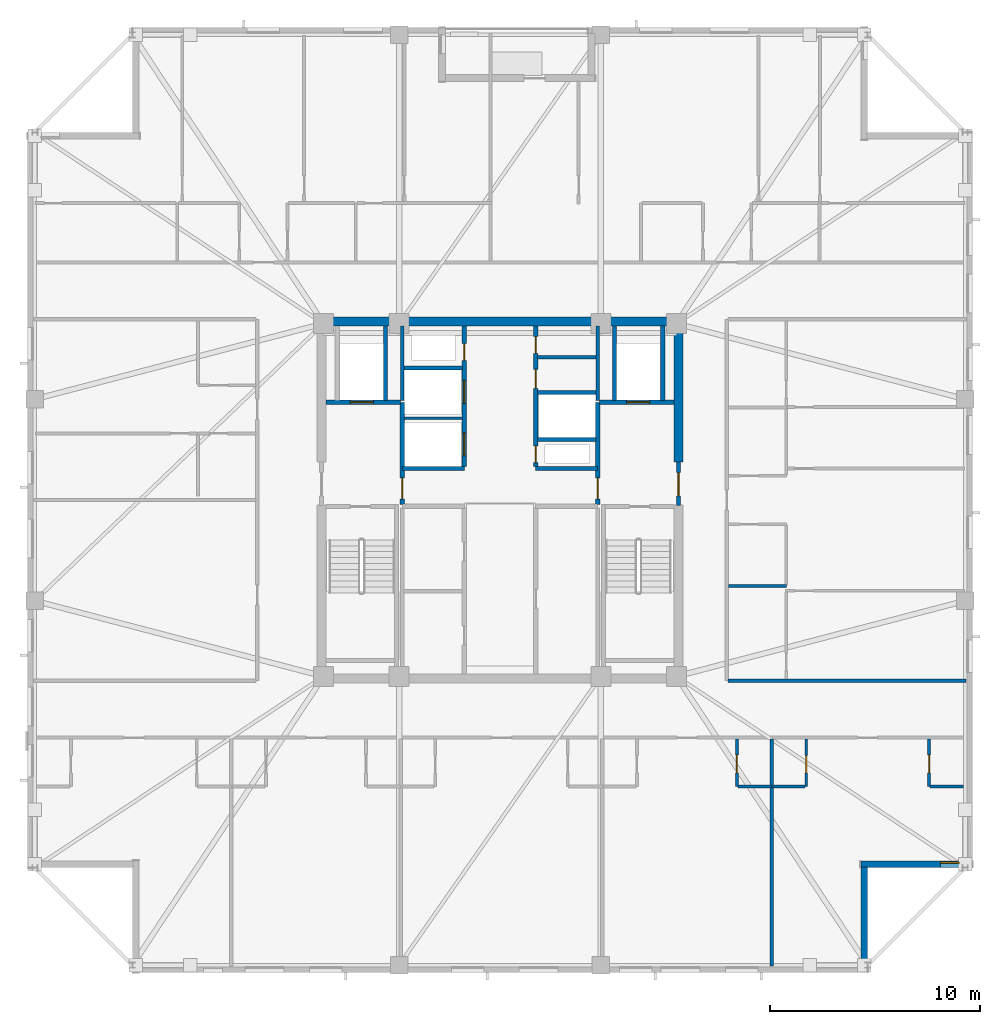
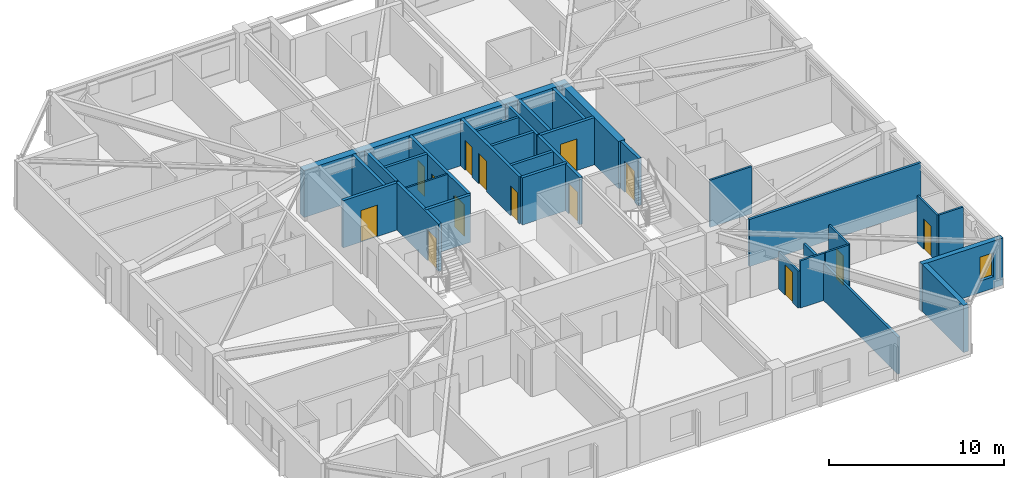
# One storey, part 9 of 17: 32 walls, 14 doors, 1 window, 15 openings.
"""IFC4 building model written with IfcOpenShell, lengths in metres."""

from ifc_helpers import new_model, si_unit, direction, frame, frame_2d, origin, place, context, subcontext, project, spatial, rectangle, extrude, material, layer, layer_set, type_object, element, fill, save


model = new_model("IFC4")

# Units and contexts
model_context = context("Model", 3, precision=1e-05, world=origin(), true_north=direction((0.0, 1.0)))
body_context = subcontext(model_context, "Body", "Model", "MODEL_VIEW")
ifc_project = project(units=[si_unit("LENGTHUNIT", "METRE"), si_unit("AREAUNIT", "SQUARE_METRE"), si_unit("VOLUMEUNIT", "CUBIC_METRE"), si_unit("PLANEANGLEUNIT", "RADIAN"), si_unit("MASSUNIT", "GRAM", prefix="KILO")], contexts=[model_context])

# Site, building, storey
site_placement = place(None, origin())
site = spatial("IfcSite", under=ifc_project, at=site_placement, CompositionType="ELEMENT")
building_placement = place(site_placement, origin())
building = spatial("IfcBuilding", under=site, at=building_placement, Name="Cairnveth Concourse Tower", CompositionType="ELEMENT")
storey_placement = place(building_placement, frame((0.0, 0.0, 213.0)))
storey = spatial("IfcBuildingStorey", under=building, at=storey_placement, Name="L58", CompositionType="ELEMENT", Elevation=213.0)

# Walls
ifc_material_1 = material(Name="Gypsum Plasterboard Partition", Category="gypsum")
ifc_layer_1 = layer(ifc_material_1, 0.159912109375)
ifc_layer_set_1 = layer_set([ifc_layer_1], Name="Gypsum Plasterboard Partition")
wall_type_1 = type_object("IfcWallType", Name="ACOUSTIC PARTY WALL 180", PredefinedType="PARTITIONING", material=ifc_layer_set_1)
wall_1_placement = place(storey_placement, frame((53.784912109375, 45.800048828125, 0.0), z_axis=(0.0, 0.0, 1.0), x_axis=(1.0, 0.0, 0.0)))
element("IfcWall", 1, at=wall_1_placement, inside=storey, type_object=wall_type_1, Name="Interior Wall IW-L58-034", PredefinedType="PARTITIONING", context=body_context, shape_type="SweptSolid", body=[
    extrude(rectangle(XDim=2.7900390625, YDim=0.159912109375, at=frame_2d((1.39501953125, 0.0))), origin(), (0.0, 0.0, 1.0), 3.2900390625),
])
wall_2_placement = place(storey_placement, frame((62.864990234375, 30.39990234375, 0.0), z_axis=(0.0, 0.0, 1.0), x_axis=(1.0, 0.0, 0.0)))
element("IfcWall", 2, at=wall_2_placement, inside=storey, type_object=wall_type_1, Name="Interior Wall IW-L58-041", PredefinedType="PARTITIONING", context=body_context, shape_type="SweptSolid", body=[
    extrude(rectangle(XDim=11.330078125, YDim=0.159912109375, at=frame_2d((5.6650390625, 0.0))), origin(), (0.0, 0.0, 1.0), 3.2900390625),
])
wall_3_placement = place(storey_placement, frame((64.93310546875, 16.804931640625, 0.0), z_axis=(0.0, 0.0, 1.0), x_axis=(0.0, 1.0, 0.0)))
element("IfcWall", 3, at=wall_3_placement, inside=storey, type_object=wall_type_1, Name="Interior Wall IW-L58-062", PredefinedType="PARTITIONING", context=body_context, shape_type="SweptSolid", body=[
    extrude(rectangle(XDim=10.80517578125, YDim=0.159912109375, at=frame_2d((5.402587890625, 0.0))), origin(), (0.0, 0.0, 1.0), 2.572998046875),
])
ifc_material_2 = material(Name="Concrete N65 (65 MPa)", Category="concrete")
ifc_layer_2 = layer(ifc_material_2, 0.449951171875)
ifc_layer_set_2 = layer_set([ifc_layer_2], Name="Concrete N65 (65 MPa)")
wall_type_2 = type_object("IfcWallType", Name="CORE SHEAR WALL 450", PredefinedType="SHEAR", material=ifc_layer_set_2)
wall_4_placement = place(storey_placement, frame((43.27490234375, 47.5, 0.0), z_axis=(0.0, 0.0, 1.0), x_axis=(1.0, 0.0, 0.0)))
element("IfcWall", 4, at=wall_4_placement, inside=storey, type_object=wall_type_2, Name="Core North Shear Wall L58", PredefinedType="SHEAR", context=body_context, shape_type="SweptSolid", body=[
    extrude(rectangle(XDim=17.4501953125, YDim=0.449951171875, at=frame_2d((8.72509765625, 0.0))), origin(), (0.0, 0.0, 1.0), 3.2900390625),
])
wall_5_placement = place(storey_placement, frame((60.5, 40.800048828125, 0.0), z_axis=(0.0, 0.0, 1.0), x_axis=(0.0, 1.0, 0.0)))
element("IfcWall", 5, at=wall_5_placement, inside=storey, type_object=wall_type_2, Name="Core East Shear Wall N L58", PredefinedType="SHEAR", context=body_context, shape_type="SweptSolid", body=[
    extrude(rectangle(XDim=6.48486328125, YDim=0.449951171875, at=frame_2d((3.242431640625, 0.0))), origin(), (0.0, 0.0, 1.0), 3.2900390625),
])
ifc_material_3 = material(Name="Concrete N50 (50 MPa)", Category="concrete")
ifc_layer_3 = layer(ifc_material_3, 0.179931640625)
ifc_layer_set_3 = layer_set([ifc_layer_3], Name="Concrete N50 (50 MPa)")
wall_type_3 = type_object("IfcWallType", Name="FIRE SHAFT WALL 180", PredefinedType="SOLIDWALL", material=ifc_layer_set_3)
wall_6_placement = place(storey_placement, frame((47.35009765625, 43.735107421875, 0.0), z_axis=(0.0, 0.0, 1.0), x_axis=(0.0, 1.0, 0.0)))
element("IfcWall", 6, at=wall_6_placement, inside=storey, type_object=wall_type_3, Name="Interior Wall IW-L58-028", PredefinedType="SOLIDWALL", context=body_context, shape_type="SweptSolid", body=[
    extrude(rectangle(XDim=3.554931640625, YDim=0.179931640625, at=frame_2d((1.77734375, 0.0))), origin(), (0.0, 0.0, 1.0), 3.2900390625),
])
wall_7_placement = place(storey_placement, frame((47.425048828125, 45.280029296875, 0.0), z_axis=(0.0, 0.0, 1.0), x_axis=(1.0, 0.0, 0.0)))
element("IfcWall", 7, at=wall_7_placement, inside=storey, type_object=wall_type_3, Name="Interior Wall IW-L58-030", PredefinedType="SOLIDWALL", context=body_context, shape_type="SweptSolid", body=[
    extrude(rectangle(XDim=2.7900390625, YDim=0.179931640625, at=frame_2d((1.39501953125, 0.0))), origin(), (0.0, 0.0, 1.0), 3.2900390625),
])
wall_8_placement = place(storey_placement, frame((56.64990234375, 43.735107421875, 0.0), z_axis=(0.0, 0.0, 1.0), x_axis=(0.0, 1.0, 0.0)))
element("IfcWall", 8, at=wall_8_placement, inside=storey, type_object=wall_type_3, Name="Interior Wall IW-L58-031", PredefinedType="SOLIDWALL", context=body_context, shape_type="SweptSolid", body=[
    extrude(rectangle(XDim=3.554931640625, YDim=0.179931640625, at=frame_2d((1.77734375, 0.0))), origin(), (0.0, 0.0, 1.0), 3.2900390625),
])
wall_9_placement = place(storey_placement, frame((53.784912109375, 41.8798828125, 0.0), z_axis=(0.0, 0.0, 1.0), x_axis=(1.0, 0.0, 0.0)))
element("IfcWall", 9, at=wall_9_placement, inside=storey, type_object=wall_type_3, Name="Interior Wall IW-L58-032", PredefinedType="SOLIDWALL", context=body_context, shape_type="SweptSolid", body=[
    extrude(rectangle(XDim=2.780029296875, YDim=0.179931640625, at=frame_2d((1.39013671875, 0.0))), origin(), (0.0, 0.0, 1.0), 3.2900390625),
])
wall_10_placement = place(storey_placement, frame((53.784912109375, 44.1201171875, 0.0), z_axis=(0.0, 0.0, 1.0), x_axis=(1.0, 0.0, 0.0)))
element("IfcWall", 10, at=wall_10_placement, inside=storey, type_object=wall_type_3, Name="Interior Wall IW-L58-033", PredefinedType="SOLIDWALL", context=body_context, shape_type="SweptSolid", body=[
    extrude(rectangle(XDim=2.7900390625, YDim=0.179931640625, at=frame_2d((1.39501953125, 0.0))), origin(), (0.0, 0.0, 1.0), 3.2900390625),
])
ifc_layer_4 = layer(ifc_material_3, 0.199951171875)
ifc_layer_set_4 = layer_set([ifc_layer_4], Name="Concrete N50 (50 MPa)")
wall_type_4 = type_object("IfcWallType", Name="FIRE SHAFT WALL 200", PredefinedType="SOLIDWALL", material=ifc_layer_set_4)
for number, where, z_axis, x_axis, name in (
    (11, (47.35009765625, 40.5, 0.0), (0.0, 0.0, 1.0), (1.0, 0.0, 0.0), "Interior Wall IW-L58-008"),
    (12, (53.699951171875, 40.5, 0.0), (0.0, 0.0, 1.0), (1.0, 0.0, 0.0), "Interior Wall IW-L58-010"),
):
    element("IfcWall", number, at=place(storey_placement, frame(where, z_axis=z_axis, x_axis=x_axis)), inside=storey, type_object=wall_type_4, Name=name, PredefinedType="SOLIDWALL", context=body_context, shape_type="SweptSolid", body=[
        extrude(rectangle(XDim=2.949951171875, YDim=0.199951171875, at=frame_2d((1.47509765625, 0.0))), origin(), (0.0, 0.0, 1.0), 3.2900390625),
    ])

# Wall, openings, doors
wall_11_placement = place(storey_placement, frame((50.300048828125, 40.5849609375, 0.0), z_axis=(0.0, 0.0, 1.0), x_axis=(0.0, 1.0, 0.0)))
wall_11 = element("IfcWall", 13, at=wall_11_placement, inside=storey, type_object=wall_type_4, Name="Interior Wall IW-L58-013", PredefinedType="SOLIDWALL", context=body_context, shape_type="SweptSolid", body=[
    extrude(rectangle(XDim=6.705078125, YDim=0.199951171875, at=frame_2d((3.3525390625, 0.0))), origin(), (0.0, 0.0, 1.0), 3.2900390625),
])
opening_1_placement = place(wall_11_placement, frame((0.514892578125, 0.0, 0.0)))
opening_1 = element("IfcOpeningElement", 14, at=opening_1_placement, cuts=wall_11, Name="Opening LD-1", PredefinedType="OPENING", context=body_context, shape_type="SweptSolid", body=[
    extrude(rectangle(XDim=1.10009765625, YDim=2.199951171875, at=frame_2d((0.550048828125, 1.10009765625))), frame((0.0, 0.10986328125, 0.0), z_axis=(0.0, -1.0, 0.0), x_axis=(1.0, 0.0, 0.0)), (0.0, 0.0, 1.0), 0.219970703125),
])
opening_2_placement = place(wall_11_placement, frame((3.014892578125, 0.0, 0.0)))
opening_2 = element("IfcOpeningElement", 15, at=opening_2_placement, cuts=wall_11, Name="Opening LD-1", PredefinedType="OPENING", context=body_context, shape_type="SweptSolid", body=[
    extrude(rectangle(XDim=1.10009765625, YDim=2.199951171875, at=frame_2d((0.550048828125, 1.10009765625))), frame((0.0, 0.10986328125, 0.0), z_axis=(0.0, -1.0, 0.0), x_axis=(1.0, 0.0, 0.0)), (0.0, 0.0, 1.0), 0.219970703125),
])
opening_3_placement = place(wall_11_placement, frame((5.06494140625, 0.0, 0.0)))
opening_3 = element("IfcOpeningElement", 16, at=opening_3_placement, cuts=wall_11, Name="Opening ID24", PredefinedType="OPENING", context=body_context, shape_type="SweptSolid", body=[
    extrude(rectangle(XDim=0.800048828125, YDim=2.080078125, at=frame_2d((0.39990234375, 1.0400390625))), frame((0.0, 0.10986328125, 0.0), z_axis=(0.0, -1.0, 0.0), x_axis=(1.0, 0.0, 0.0)), (0.0, 0.0, 1.0), 0.219970703125),
])
ifc_material_4 = material(Name="Architectural Bronze Anodised Aluminium 6063-T6", Category="aluminium")
door_type_1 = type_object("IfcDoorType", Name="LIFT LANDING DOOR 1100X2200", OperationType="SLIDING_TO_LEFT", PredefinedType="DOOR", material=ifc_material_4)
door_1_placement = place(opening_1_placement, origin())
door_1 = element("IfcDoor", 17, at=door_1_placement, inside=storey, type_object=door_type_1, Name="Lift PL7 Landing Door L58", OperationType="SLIDING_TO_LEFT", OverallHeight=2.199951171875, OverallWidth=1.10009765625, PredefinedType="DOOR", context=body_context, shape_type="SweptSolid", body=[
    extrude(rectangle(XDim=1.10009765625, YDim=2.199951171875, at=frame_2d((0.550048828125, 1.10009765625))), frame((0.0, 0.02490234375, 0.0), z_axis=(0.0, -1.0, 0.0), x_axis=(1.0, 0.0, 0.0)), (0.0, 0.0, 1.0), 0.050048828125),
])
fill(opening_1, door_1)
door_2_placement = place(opening_2_placement, origin())
door_2 = element("IfcDoor", 18, at=door_2_placement, inside=storey, type_object=door_type_1, Name="Lift PL8 Landing Door L58", OperationType="SLIDING_TO_LEFT", OverallHeight=2.199951171875, OverallWidth=1.10009765625, PredefinedType="DOOR", context=body_context, shape_type="SweptSolid", body=[
    extrude(rectangle(XDim=1.10009765625, YDim=2.199951171875, at=frame_2d((0.550048828125, 1.10009765625))), frame((0.0, 0.02490234375, 0.0), z_axis=(0.0, -1.0, 0.0), x_axis=(1.0, 0.0, 0.0)), (0.0, 0.0, 1.0), 0.050048828125),
])
fill(opening_2, door_2)
ifc_material_5 = material(Name="Steel Grade 350", Category="steel")
door_type_2 = type_object("IfcDoorType", Name="RISER ACCESS DOOR 800X2100", OperationType="NOTDEFINED", PredefinedType="DOOR", material=ifc_material_5)
door_3_placement = place(opening_3_placement, origin())
door_3 = element("IfcDoor", 19, at=door_3_placement, inside=storey, type_object=door_type_2, Name="NW Electrical Riser Access Door L58", OperationType="SINGLE_SWING_RIGHT", OverallHeight=2.080078125, OverallWidth=0.800048828125, PredefinedType="DOOR", context=body_context, shape_type="SweptSolid", body=[
    extrude(rectangle(XDim=0.800048828125, YDim=2.080078125, at=frame_2d((0.39990234375, 1.0400390625))), frame((0.0, 0.02490234375, 0.0), z_axis=(0.0, -1.0, 0.0), x_axis=(1.0, 0.0, 0.0)), (0.0, 0.0, 1.0), 0.050048828125),
])
fill(opening_3, door_3)

wall_12_placement = place(storey_placement, frame((53.699951171875, 40.5849609375, 0.0), z_axis=(0.0, 0.0, 1.0), x_axis=(0.0, 1.0, 0.0)))
wall_12 = element("IfcWall", 20, at=wall_12_placement, inside=storey, type_object=wall_type_4, Name="Interior Wall IW-L58-014", PredefinedType="SOLIDWALL", context=body_context, shape_type="SweptSolid", body=[
    extrude(rectangle(XDim=6.705078125, YDim=0.199951171875, at=frame_2d((3.3525390625, 0.0))), origin(), (0.0, 0.0, 1.0), 3.2900390625),
])
opening_4_placement = place(wall_12_placement, frame((0.195068359375, 0.0, 0.0)))
opening_4 = element("IfcOpeningElement", 21, at=opening_4_placement, cuts=wall_12, Name="Opening ID24", PredefinedType="OPENING", context=body_context, shape_type="SweptSolid", body=[
    extrude(rectangle(XDim=0.800048828125, YDim=2.080078125, at=frame_2d((0.39990234375, 1.0400390625))), frame((0.0, 0.10986328125, 0.0), z_axis=(0.0, -1.0, 0.0), x_axis=(1.0, 0.0, 0.0)), (0.0, 0.0, 1.0), 0.219970703125),
])
opening_5_placement = place(wall_12_placement, frame((3.735107421875, 0.0, 0.0)))
opening_5 = element("IfcOpeningElement", 22, at=opening_5_placement, cuts=wall_12, Name="Opening ID26", PredefinedType="OPENING", context=body_context, shape_type="SweptSolid", body=[
    extrude(rectangle(XDim=0.89990234375, YDim=2.1201171875, at=frame_2d((0.449951171875, 1.06005859375))), frame((0.0, 0.10986328125, 0.0), z_axis=(0.0, -1.0, 0.0), x_axis=(1.0, 0.0, 0.0)), (0.0, 0.0, 1.0), 0.219970703125),
])
opening_6_placement = place(wall_12_placement, frame((5.39501953125, 0.0, 0.0)))
opening_6 = element("IfcOpeningElement", 23, at=opening_6_placement, cuts=wall_12, Name="Opening ID23", PredefinedType="OPENING", context=body_context, shape_type="SweptSolid", body=[
    extrude(rectangle(XDim=0.800048828125, YDim=2.10009765625, at=frame_2d((0.39990234375, 1.050048828125))), frame((0.0, 0.10986328125, 0.0), z_axis=(0.0, -1.0, 0.0), x_axis=(1.0, 0.0, 0.0)), (0.0, 0.0, 1.0), 0.219970703125),
])
door_type_3 = type_object("IfcDoorType", Name="CORE SERVICE DOOR 800X2100", OperationType="NOTDEFINED", PredefinedType="DOOR", material=ifc_material_5)
door_4_placement = place(opening_6_placement, origin())
door_4 = element("IfcDoor", 24, at=door_4_placement, inside=storey, type_object=door_type_3, Name="Core NE Cleaners Door L58", OperationType="SINGLE_SWING_LEFT", OverallHeight=2.10009765625, OverallWidth=0.800048828125, PredefinedType="DOOR", context=body_context, shape_type="SweptSolid", body=[
    extrude(rectangle(XDim=0.800048828125, YDim=2.10009765625, at=frame_2d((0.39990234375, 1.050048828125))), frame((0.0, 0.02490234375, 0.0), z_axis=(0.0, -1.0, 0.0), x_axis=(1.0, 0.0, 0.0)), (0.0, 0.0, 1.0), 0.050048828125),
])
fill(opening_6, door_4)
door_type_4 = type_object("IfcDoorType", Name="CORE TOILET FIRE DOOR 900X2120", OperationType="NOTDEFINED", PredefinedType="DOOR", material=ifc_material_5)
door_5_placement = place(opening_5_placement, origin())
door_5 = element("IfcDoor", 25, at=door_5_placement, inside=storey, type_object=door_type_4, Name="Core NE Unisex WC Door L58", OperationType="SINGLE_SWING_RIGHT", OverallHeight=2.1201171875, OverallWidth=0.89990234375, PredefinedType="DOOR", context=body_context, shape_type="SweptSolid", body=[
    extrude(rectangle(XDim=0.89990234375, YDim=2.1201171875, at=frame_2d((0.449951171875, 1.06005859375))), frame((0.0, 0.02490234375, 0.0), z_axis=(0.0, -1.0, 0.0), x_axis=(1.0, 0.0, 0.0)), (0.0, 0.0, 1.0), 0.050048828125),
])
fill(opening_5, door_5)
door_6_placement = place(opening_4_placement, origin())
door_6 = element("IfcDoor", 26, at=door_6_placement, inside=storey, type_object=door_type_2, Name="Hydraulic Riser Door L58", OperationType="SINGLE_SWING_LEFT", OverallHeight=2.080078125, OverallWidth=0.800048828125, PredefinedType="DOOR", context=body_context, shape_type="SweptSolid", body=[
    extrude(rectangle(XDim=0.800048828125, YDim=2.080078125, at=frame_2d((0.39990234375, 1.0400390625))), frame((0.0, 0.02490234375, 0.0), z_axis=(0.0, -1.0, 0.0), x_axis=(1.0, 0.0, 0.0)), (0.0, 0.0, 1.0), 0.050048828125),
])
fill(opening_4, door_6)

# Wall, opening, door
wall_13_placement = place(storey_placement, frame((47.35009765625, 38.784912109375, 0.0), z_axis=(0.0, 0.0, 1.0), x_axis=(0.0, 1.0, 0.0)))
wall_13 = element("IfcWall", 27, at=wall_13_placement, inside=storey, type_object=wall_type_4, Name="Interior Wall IW-L58-016", PredefinedType="SOLIDWALL", context=body_context, shape_type="SweptSolid", body=[
    extrude(rectangle(XDim=4.864990234375, YDim=0.199951171875, at=frame_2d((2.4326171875, 0.0))), origin(), (0.0, 0.0, 1.0), 3.2900390625),
])
opening_7_placement = place(wall_13_placement, frame((0.264892578125, 0.0, 0.0)))
opening_7 = element("IfcOpeningElement", 28, at=opening_7_placement, cuts=wall_13, Name="Opening ID07", PredefinedType="OPENING", context=body_context, shape_type="SweptSolid", body=[
    extrude(rectangle(XDim=1.0, YDim=2.14990234375, at=frame_2d((0.5, 1.074951171875))), frame((0.0, 0.10986328125, 0.0), z_axis=(0.0, -1.0, 0.0), x_axis=(1.0, 0.0, 0.0)), (0.0, 0.0, 1.0), 0.219970703125),
])
door_type_5 = type_object("IfcDoorType", Name="FIRE CORRIDOR DOOR 1000X2150", OperationType="NOTDEFINED", PredefinedType="DOOR", material=ifc_material_5)
door_7_placement = place(opening_7_placement, origin())
door_7 = element("IfcDoor", 29, at=door_7_placement, inside=storey, type_object=door_type_5, Name="FF Lobby West to Lift Lobby Door L58", OperationType="SINGLE_SWING_RIGHT", OverallHeight=2.14990234375, OverallWidth=1.0, PredefinedType="DOOR", context=body_context, shape_type="SweptSolid", body=[
    extrude(rectangle(XDim=1.0, YDim=2.14990234375, at=frame_2d((0.5, 1.074951171875))), frame((0.0, 0.02490234375, 0.0), z_axis=(0.0, -1.0, 0.0), x_axis=(1.0, 0.0, 0.0)), (0.0, 0.0, 1.0), 0.050048828125),
])
fill(opening_7, door_7)

wall_14_placement = place(storey_placement, frame((43.7099609375, 43.64990234375, 0.0), z_axis=(0.0, 0.0, 1.0), x_axis=(1.0, 0.0, 0.0)))
wall_14 = element("IfcWall", 30, at=wall_14_placement, inside=storey, type_object=wall_type_4, Name="Interior Wall IW-L58-017", PredefinedType="SOLIDWALL", context=body_context, shape_type="SweptSolid", body=[
    extrude(rectangle(XDim=3.554931640625, YDim=0.199951171875, at=frame_2d((1.77734375, 0.0))), origin(), (0.0, 0.0, 1.0), 3.2900390625),
])
opening_8_placement = place(wall_14_placement, frame((1.159912109375, 0.0, 0.0)))
opening_8 = element("IfcOpeningElement", 31, at=opening_8_placement, cuts=wall_14, Name="Opening LD-1", PredefinedType="OPENING", context=body_context, shape_type="SweptSolid", body=[
    extrude(rectangle(XDim=1.10009765625, YDim=2.199951171875, at=frame_2d((0.550048828125, 1.10009765625))), frame((0.0, 0.10986328125, 0.0), z_axis=(0.0, -1.0, 0.0), x_axis=(1.0, 0.0, 0.0)), (0.0, 0.0, 1.0), 0.219970703125),
])
door_8_placement = place(opening_8_placement, origin())
door_8 = element("IfcDoor", 32, at=door_8_placement, inside=storey, type_object=door_type_1, Name="Lift FFL1 Landing Door L58", OperationType="SLIDING_TO_LEFT", OverallHeight=2.199951171875, OverallWidth=1.10009765625, PredefinedType="DOOR", context=body_context, shape_type="SweptSolid", body=[
    extrude(rectangle(XDim=1.10009765625, YDim=2.199951171875, at=frame_2d((0.550048828125, 1.10009765625))), frame((0.0, 0.02490234375, 0.0), z_axis=(0.0, -1.0, 0.0), x_axis=(1.0, 0.0, 0.0)), (0.0, 0.0, 1.0), 0.050048828125),
])
fill(opening_8, door_8)

# Wall
wall_15_placement = place(storey_placement, frame((46.550048828125, 43.735107421875, 0.0), z_axis=(0.0, 0.0, 1.0), x_axis=(0.0, 1.0, 0.0)))
element("IfcWall", 33, at=wall_15_placement, inside=storey, type_object=wall_type_4, Name="Interior Wall IW-L58-018", PredefinedType="SOLIDWALL", context=body_context, shape_type="SweptSolid", body=[
    extrude(rectangle(XDim=3.554931640625, YDim=0.199951171875, at=frame_2d((1.77734375, 0.0))), origin(), (0.0, 0.0, 1.0), 3.2900390625),
])

# Wall, opening, door
wall_16_placement = place(storey_placement, frame((60.5, 38.75, 0.0), z_axis=(0.0, 0.0, 1.0), x_axis=(0.0, 1.0, 0.0)))
wall_16 = element("IfcWall", 34, at=wall_16_placement, inside=storey, type_object=wall_type_4, Name="Interior Wall IW-L58-020", PredefinedType="SOLIDWALL", context=body_context, shape_type="SweptSolid", body=[
    extrude(rectangle(XDim=2.050048828125, YDim=0.199951171875, at=frame_2d((1.02490234375, 0.0))), origin(), (0.0, 0.0, 1.0), 3.2900390625),
])
opening_9_placement = place(wall_16_placement, frame((0.449951171875, 0.0, 0.0)))
opening_9 = element("IfcOpeningElement", 35, at=opening_9_placement, cuts=wall_16, Name="Opening ID06", PredefinedType="OPENING", context=body_context, shape_type="SweptSolid", body=[
    extrude(rectangle(XDim=1.10009765625, YDim=2.14990234375, at=frame_2d((0.550048828125, 1.074951171875))), frame((0.0, 0.10986328125, 0.0), z_axis=(0.0, -1.0, 0.0), x_axis=(1.0, 0.0, 0.0)), (0.0, 0.0, 1.0), 0.219970703125),
])
door_type_6 = type_object("IfcDoorType", Name="FIRE CORRIDOR DOOR 1100X2150", OperationType="NOTDEFINED", PredefinedType="DOOR", material=ifc_material_5)
door_9_placement = place(opening_9_placement, origin())
door_9 = element("IfcDoor", 36, at=door_9_placement, inside=storey, type_object=door_type_6, Name="East Wing to FF Lobby Door L58", OperationType="SINGLE_SWING_RIGHT", OverallHeight=2.14990234375, OverallWidth=1.10009765625, PredefinedType="DOOR", context=body_context, shape_type="SweptSolid", body=[
    extrude(rectangle(XDim=1.10009765625, YDim=2.14990234375, at=frame_2d((0.550048828125, 1.074951171875))), frame((0.0, 0.02490234375, 0.0), z_axis=(0.0, -1.0, 0.0), x_axis=(1.0, 0.0, 0.0)), (0.0, 0.0, 1.0), 0.050048828125),
])
fill(opening_9, door_9)

wall_17_placement = place(storey_placement, frame((56.64990234375, 38.784912109375, 0.0), z_axis=(0.0, 0.0, 1.0), x_axis=(0.0, 1.0, 0.0)))
wall_17 = element("IfcWall", 37, at=wall_17_placement, inside=storey, type_object=wall_type_4, Name="Interior Wall IW-L58-021", PredefinedType="SOLIDWALL", context=body_context, shape_type="SweptSolid", body=[
    extrude(rectangle(XDim=4.864990234375, YDim=0.199951171875, at=frame_2d((2.4326171875, 0.0))), origin(), (0.0, 0.0, 1.0), 3.2900390625),
])
opening_10_placement = place(wall_17_placement, frame((0.264892578125, 0.0, 0.0)))
opening_10 = element("IfcOpeningElement", 38, at=opening_10_placement, cuts=wall_17, Name="Opening ID07", PredefinedType="OPENING", context=body_context, shape_type="SweptSolid", body=[
    extrude(rectangle(XDim=1.0, YDim=2.14990234375, at=frame_2d((0.5, 1.074951171875))), frame((0.0, 0.10986328125, 0.0), z_axis=(0.0, -1.0, 0.0), x_axis=(1.0, 0.0, 0.0)), (0.0, 0.0, 1.0), 0.219970703125),
])
door_10_placement = place(opening_10_placement, origin())
door_10 = element("IfcDoor", 39, at=door_10_placement, inside=storey, type_object=door_type_5, Name="FF Lobby East to Lift Lobby Door L58", OperationType="SINGLE_SWING_LEFT", OverallHeight=2.14990234375, OverallWidth=1.0, PredefinedType="DOOR", context=body_context, shape_type="SweptSolid", body=[
    extrude(rectangle(XDim=1.0, YDim=2.14990234375, at=frame_2d((0.5, 1.074951171875))), frame((0.0, 0.02490234375, 0.0), z_axis=(0.0, -1.0, 0.0), x_axis=(1.0, 0.0, 0.0)), (0.0, 0.0, 1.0), 0.050048828125),
])
fill(opening_10, door_10)

wall_18_placement = place(storey_placement, frame((56.735107421875, 43.64990234375, 0.0), z_axis=(0.0, 0.0, 1.0), x_axis=(1.0, 0.0, 0.0)))
wall_18 = element("IfcWall", 40, at=wall_18_placement, inside=storey, type_object=wall_type_4, Name="Interior Wall IW-L58-022", PredefinedType="SOLIDWALL", context=body_context, shape_type="SweptSolid", body=[
    extrude(rectangle(XDim=3.554931640625, YDim=0.199951171875, at=frame_2d((1.77734375, 0.0))), origin(), (0.0, 0.0, 1.0), 3.2900390625),
])
opening_11_placement = place(wall_18_placement, frame((1.294921875, 0.0, 0.0)))
opening_11 = element("IfcOpeningElement", 41, at=opening_11_placement, cuts=wall_18, Name="Opening LD-1", PredefinedType="OPENING", context=body_context, shape_type="SweptSolid", body=[
    extrude(rectangle(XDim=1.10009765625, YDim=2.199951171875, at=frame_2d((0.550048828125, 1.10009765625))), frame((0.0, 0.10986328125, 0.0), z_axis=(0.0, -1.0, 0.0), x_axis=(1.0, 0.0, 0.0)), (0.0, 0.0, 1.0), 0.219970703125),
])
door_11_placement = place(opening_11_placement, origin())
door_11 = element("IfcDoor", 42, at=door_11_placement, inside=storey, type_object=door_type_1, Name="Lift FFL2 Landing Door L58", OperationType="SLIDING_TO_LEFT", OverallHeight=2.199951171875, OverallWidth=1.10009765625, PredefinedType="DOOR", context=body_context, shape_type="SweptSolid", body=[
    extrude(rectangle(XDim=1.10009765625, YDim=2.199951171875, at=frame_2d((0.550048828125, 1.10009765625))), frame((0.0, 0.02490234375, 0.0), z_axis=(0.0, -1.0, 0.0), x_axis=(1.0, 0.0, 0.0)), (0.0, 0.0, 1.0), 0.050048828125),
])
fill(opening_11, door_11)

# Walls
for number, where, z_axis, x_axis, name in (
    (43, (57.449951171875, 43.735107421875, 0.0), (0.0, 0.0, 1.0), (0.0, 1.0, 0.0), "Interior Wall IW-L58-023"),
    (44, (59.75, 43.735107421875, 0.0), (0.0, 0.0, 1.0), (0.0, 1.0, 0.0), "Interior Wall IW-L58-024"),
):
    element("IfcWall", number, at=place(storey_placement, frame(where, z_axis=z_axis, x_axis=x_axis)), inside=storey, type_object=wall_type_4, Name=name, PredefinedType="SOLIDWALL", context=body_context, shape_type="SweptSolid", body=[
        extrude(rectangle(XDim=3.554931640625, YDim=0.199951171875, at=frame_2d((1.77734375, 0.0))), origin(), (0.0, 0.0, 1.0), 3.2900390625),
    ])
ifc_layer_5 = layer(ifc_material_1, 0.110107421875)
ifc_layer_set_5 = layer_set([ifc_layer_5], Name="Gypsum Plasterboard Partition")
wall_type_5 = type_object("IfcWallType", Name="SHAFT DIVIDER WALL 140", PredefinedType="PARTITIONING", material=ifc_layer_set_5)
wall_19_placement = place(storey_placement, frame((47.43505859375, 42.89990234375, 0.0), z_axis=(0.0, 0.0, 1.0), x_axis=(1.0, 0.0, 0.0)))
element("IfcWall", 45, at=wall_19_placement, inside=storey, type_object=wall_type_5, Name="Interior Wall IW-L58-029", PredefinedType="PARTITIONING", context=body_context, shape_type="SweptSolid", body=[
    extrude(rectangle(XDim=2.780029296875, YDim=0.110107421875, at=frame_2d((1.39013671875, 0.0))), origin(), (0.0, 0.0, 1.0), 3.2900390625),
])

# Wall, opening, door
ifc_layer_6 = layer(ifc_material_1, 0.1298828125)
ifc_layer_set_6 = layer_set([ifc_layer_6], Name="Gypsum Plasterboard Partition")
wall_type_6 = type_object("IfcWallType", Name="WET AREA PARTITION 140", PredefinedType="PLUMBINGWALL", material=ifc_layer_set_6)
wall_20_placement = place(storey_placement, frame((63.282958984375, 25.360107421875, 0.0), z_axis=(0.0, 0.0, 1.0), x_axis=(0.0, 1.0, 0.0)))
wall_20 = element("IfcWall", 46, at=wall_20_placement, inside=storey, type_object=wall_type_6, Name="Interior Wall IW-L58-060", PredefinedType="PLUMBINGWALL", context=body_context, shape_type="SweptSolid", body=[
    extrude(rectangle(XDim=2.25, YDim=0.1298828125, at=frame_2d((1.125, 0.0))), origin(), (0.0, 0.0, 1.0), 2.572998046875),
])
opening_12_placement = place(wall_20_placement, frame((0.64990234375, 0.0, 0.0)))
opening_12 = element("IfcOpeningElement", 47, at=opening_12_placement, cuts=wall_20, Name="Opening ID20", PredefinedType="OPENING", context=body_context, shape_type="SweptSolid", body=[
    extrude(rectangle(XDim=0.85009765625, YDim=2.10009765625, at=frame_2d((0.425048828125, 1.050048828125))), frame((0.0, 0.074951171875, 0.0), z_axis=(0.0, -1.0, 0.0), x_axis=(1.0, 0.0, 0.0)), (0.0, 0.0, 1.0), 0.14990234375),
])
ifc_material_6 = material(Name="Solid Core Hardwood Timber Leaf", Category="wood")
door_type_7 = type_object("IfcDoorType", Name="INTERIOR SINGLE DOOR 850X2100", OperationType="NOTDEFINED", PredefinedType="DOOR", material=ifc_material_6)
door_12_placement = place(opening_12_placement, origin())
door_12 = element("IfcDoor", 48, at=door_12_placement, inside=storey, type_object=door_type_7, Name="L58STS4 Kitchen Door", OperationType="SINGLE_SWING_RIGHT", OverallHeight=2.10009765625, OverallWidth=0.85009765625, PredefinedType="DOOR", context=body_context, shape_type="SweptSolid", body=[
    extrude(rectangle(XDim=0.85009765625, YDim=2.10009765625, at=frame_2d((0.425048828125, 1.050048828125))), frame((0.0, 0.02490234375, 0.0), z_axis=(0.0, -1.0, 0.0), x_axis=(1.0, 0.0, 0.0)), (0.0, 0.0, 1.0), 0.050048828125),
])
fill(opening_12, door_12)

# Wall
wall_21_placement = place(storey_placement, frame((63.3330078125, 25.360107421875, 0.0), z_axis=(0.0, 0.0, 1.0), x_axis=(1.0, 0.0, 0.0)))
element("IfcWall", 49, at=wall_21_placement, inside=storey, type_object=wall_type_6, Name="Interior Wall IW-L58-061", PredefinedType="PLUMBINGWALL", context=body_context, shape_type="SweptSolid", body=[
    extrude(rectangle(XDim=1.60009765625, YDim=0.1298828125, at=frame_2d((0.800048828125, 0.0))), origin(), (0.0, 0.0, 1.0), 3.2900390625),
])

# Wall, opening, door
wall_22_placement = place(storey_placement, frame((66.5830078125, 25.360107421875, 0.0), z_axis=(0.0, 0.0, 1.0), x_axis=(0.0, 1.0, 0.0)))
wall_22 = element("IfcWall", 50, at=wall_22_placement, inside=storey, type_object=wall_type_6, Name="Interior Wall IW-L58-063", PredefinedType="PLUMBINGWALL", context=body_context, shape_type="SweptSolid", body=[
    extrude(rectangle(XDim=2.25, YDim=0.1298828125, at=frame_2d((1.125, 0.0))), origin(), (0.0, 0.0, 1.0), 3.2900390625),
])
opening_13_placement = place(wall_22_placement, frame((0.64990234375, 0.0, 0.0)))
opening_13 = element("IfcOpeningElement", 51, at=opening_13_placement, cuts=wall_22, Name="Opening ID22", PredefinedType="OPENING", context=body_context, shape_type="SweptSolid", body=[
    extrude(rectangle(XDim=0.820068359375, YDim=2.10009765625, at=frame_2d((0.41015625, 1.050048828125))), frame((0.0, 0.074951171875, 0.0), z_axis=(0.0, -1.0, 0.0), x_axis=(1.0, 0.0, 0.0)), (0.0, 0.0, 1.0), 0.14990234375),
])
door_type_8 = type_object("IfcDoorType", Name="INTERIOR WC DOOR 820X2100", OperationType="NOTDEFINED", PredefinedType="DOOR", material=ifc_material_6)
door_13_placement = place(opening_13_placement, origin())
door_13 = element("IfcDoor", 52, at=door_13_placement, inside=storey, type_object=door_type_8, Name="L58STS5 Bathroom Door", OperationType="SINGLE_SWING_RIGHT", OverallHeight=2.10009765625, OverallWidth=0.820068359375, PredefinedType="DOOR", context=body_context, shape_type="SweptSolid", body=[
    extrude(rectangle(XDim=0.820068359375, YDim=2.10009765625, at=frame_2d((0.41015625, 1.050048828125))), frame((0.0, 0.02490234375, 0.0), z_axis=(0.0, -1.0, 0.0), x_axis=(1.0, 0.0, 0.0)), (0.0, 0.0, 1.0), 0.050048828125),
])
fill(opening_13, door_13)

# Wall
wall_23_placement = place(storey_placement, frame((64.998046875, 25.360107421875, 0.0), z_axis=(0.0, 0.0, 1.0), x_axis=(1.0, 0.0, 0.0)))
element("IfcWall", 53, at=wall_23_placement, inside=storey, type_object=wall_type_6, Name="Interior Wall IW-L58-064", PredefinedType="PLUMBINGWALL", context=body_context, shape_type="SweptSolid", body=[
    extrude(rectangle(XDim=1.534912109375, YDim=0.1298828125, at=frame_2d((0.767578125, 0.0))), origin(), (0.0, 0.0, 1.0), 3.2900390625),
])

# Wall, opening, door
wall_24_placement = place(storey_placement, frame((72.429931640625, 25.360107421875, 0.0), z_axis=(0.0, 0.0, 1.0), x_axis=(0.0, 1.0, 0.0)))
wall_24 = element("IfcWall", 54, at=wall_24_placement, inside=storey, type_object=wall_type_6, Name="Interior Wall IW-L58-065", PredefinedType="PLUMBINGWALL", context=body_context, shape_type="SweptSolid", body=[
    extrude(rectangle(XDim=2.25, YDim=0.1298828125, at=frame_2d((1.125, 0.0))), origin(), (0.0, 0.0, 1.0), 3.2900390625),
])
opening_14_placement = place(wall_24_placement, frame((0.64990234375, 0.0, 0.0)))
opening_14 = element("IfcOpeningElement", 55, at=opening_14_placement, cuts=wall_24, Name="Opening ID20", PredefinedType="OPENING", context=body_context, shape_type="SweptSolid", body=[
    extrude(rectangle(XDim=0.85009765625, YDim=2.10009765625, at=frame_2d((0.425048828125, 1.050048828125))), frame((0.0, 0.074951171875, 0.0), z_axis=(0.0, -1.0, 0.0), x_axis=(1.0, 0.0, 0.0)), (0.0, 0.0, 1.0), 0.14990234375),
])
door_14_placement = place(opening_14_placement, origin())
door_14 = element("IfcDoor", 56, at=door_14_placement, inside=storey, type_object=door_type_7, Name="L58STS5 Kitchen Door", OperationType="SINGLE_SWING_LEFT", OverallHeight=2.10009765625, OverallWidth=0.85009765625, PredefinedType="DOOR", context=body_context, shape_type="SweptSolid", body=[
    extrude(rectangle(XDim=0.85009765625, YDim=2.10009765625, at=frame_2d((0.425048828125, 1.050048828125))), frame((0.0, 0.02490234375, 0.0), z_axis=(0.0, -1.0, 0.0), x_axis=(1.0, 0.0, 0.0)), (0.0, 0.0, 1.0), 0.050048828125),
])
fill(opening_14, door_14)

# Walls
wall_25_placement = place(storey_placement, frame((72.47998046875, 25.360107421875, 0.0), z_axis=(0.0, 0.0, 1.0), x_axis=(1.0, 0.0, 0.0)))
element("IfcWall", 57, at=wall_25_placement, inside=storey, type_object=wall_type_6, Name="Interior Wall IW-L58-066", PredefinedType="PLUMBINGWALL", context=body_context, shape_type="SweptSolid", body=[
    extrude(rectangle(XDim=1.60009765625, YDim=0.1298828125, at=frame_2d((0.800048828125, 0.0))), origin(), (0.0, 0.0, 1.0), 3.2900390625),
])
wall_26_placement = place(storey_placement, frame((62.8798828125, 34.89990234375, 0.0), z_axis=(0.0, 0.0, 1.0), x_axis=(1.0, 0.0, 0.0)))
element("IfcWall", 58, at=wall_26_placement, inside=storey, type_object=wall_type_6, Name="Interior Wall IW-L58-095", PredefinedType="PLUMBINGWALL", context=body_context, shape_type="SweptSolid", body=[
    extrude(rectangle(XDim=2.75, YDim=0.1298828125, at=frame_2d((1.375, 0.0))), origin(), (0.0, 0.0, 1.0), 3.2900390625),
])

# Wall, opening, window
ifc_material_7 = material(Name="Melbourne Buff Fired Clay Brick Masonry", Category="masonry")
ifc_layer_7 = layer(ifc_material_7, 0.320068359375)
ifc_layer_set_7 = layer_set([ifc_layer_7], Name="Melbourne Buff Fired Clay Brick Masonry")
wall_type_7 = type_object("IfcWallType", Name="ZONE 3 BRICK PIER SPANDREL WALL 320", PredefinedType="SOLIDWALL", material=ifc_layer_set_7)
wall_27_placement = place(storey_placement, frame((74.5, 21.659912109375, 0.0), z_axis=(0.0, 0.0, 1.0), x_axis=(-1.0, 0.0, 0.0)))
wall_27 = element("IfcWall", 59, at=wall_27_placement, inside=storey, type_object=wall_type_7, Name="Exterior Wall EW-L58-S04", PredefinedType="SOLIDWALL", context=body_context, shape_type="SweptSolid", body=[
    extrude(rectangle(XDim=5.320068359375, YDim=0.320068359375, at=frame_2d((2.66015625, 0.0))), origin(), (0.0, 0.0, 1.0), 3.2900390625),
])
opening_15_placement = place(wall_27_placement, frame((0.6298828125, 0.0, 0.800048828125)))
opening_15 = element("IfcOpeningElement", 60, at=opening_15_placement, cuts=wall_27, Name="Opening W13", PredefinedType="OPENING", context=body_context, shape_type="SweptSolid", body=[
    extrude(rectangle(XDim=0.89990234375, YDim=1.677978515625, at=frame_2d((0.449951171875, 0.8388671875))), frame((0.0, 0.169921875, 0.0), z_axis=(0.0, -1.0, 0.0), x_axis=(1.0, 0.0, 0.0)), (0.0, 0.0, 1.0), 0.340087890625),
])
ifc_material_8 = material(Name="Double Glazed Low-E Clear Glass", Category="glass")
window_type = type_object("IfcWindowType", Name="DEEP-SET BEDROOM LANCET WINDOW 900X1750", PartitioningType="DOUBLE_PANEL_VERTICAL", PredefinedType="WINDOW", material=ifc_material_8)
window_placement = place(opening_15_placement, origin())
window = element("IfcWindow", 61, at=window_placement, inside=storey, type_object=window_type, Name="Dwelling Lancet Window L58-DW2", OverallHeight=1.677978515625, OverallWidth=0.89990234375, PartitioningType="SINGLE_PANEL", PredefinedType="WINDOW", context=body_context, shape_type="SweptSolid", body=[
    extrude(rectangle(XDim=0.89990234375, YDim=1.677978515625, at=frame_2d((0.449951171875, 0.8388671875))), frame((0.0, -0.0400390625, 0.0), z_axis=(0.0, -1.0, 0.0), x_axis=(1.0, 0.0, 0.0)), (0.0, 0.0, 1.0), 0.06005859375),
])
fill(opening_15, window)

# Wall
wall_28_placement = place(storey_placement, frame((69.340087890625, 21.52197265625, 0.0), z_axis=(0.0, 0.0, 1.0), x_axis=(0.0, -1.0, 0.0)))
element("IfcWall", 62, at=wall_28_placement, inside=storey, type_object=wall_type_7, Name="Exterior Wall EW-L58-S05", PredefinedType="SOLIDWALL", context=body_context, shape_type="SweptSolid", body=[
    extrude(rectangle(XDim=4.723876953125, YDim=0.320068359375, at=frame_2d((2.36181640625, 0.0))), origin(), (0.0, 0.0, 1.0), 3.2900390625),
])

save(model, "model.ifc")
